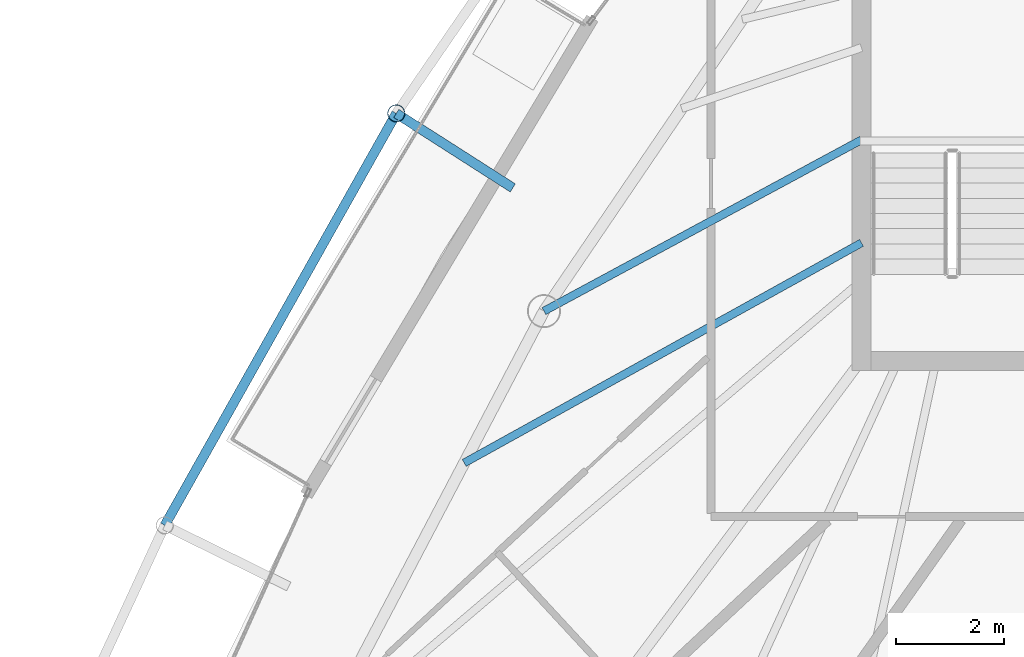
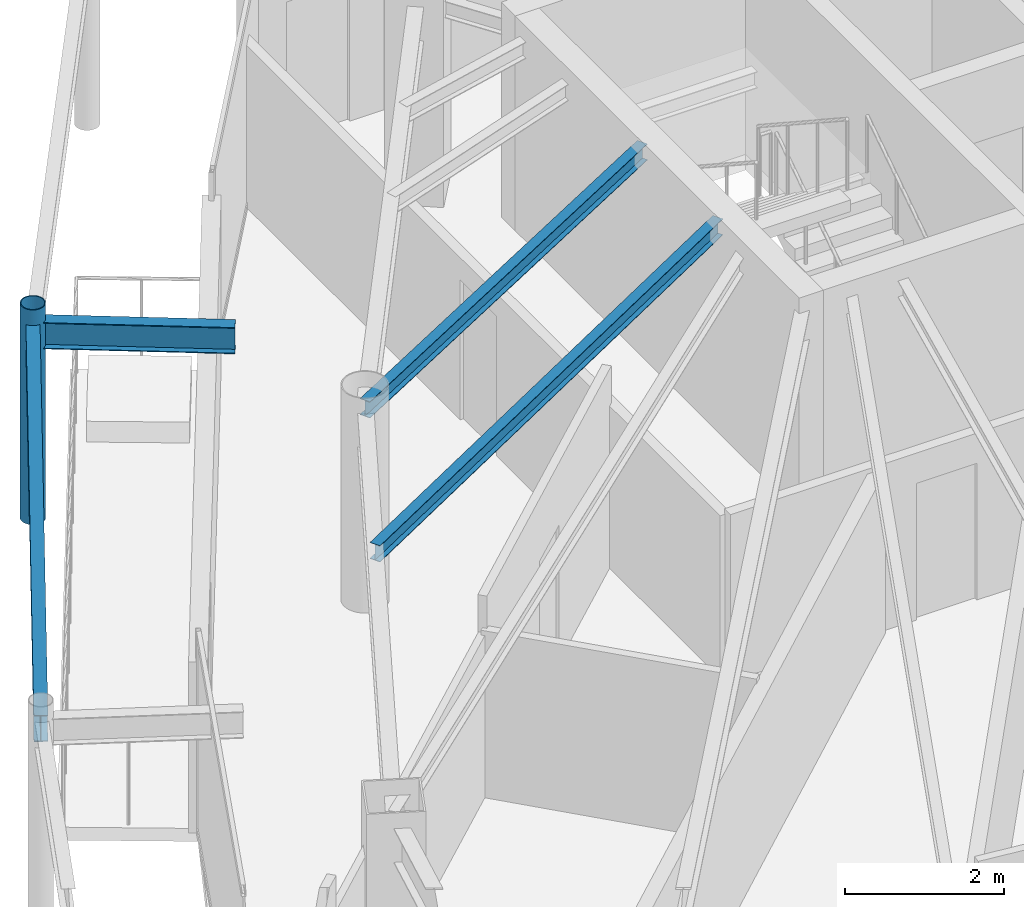
# One storey, part 11 of 32: 4 beams, 1 member.
"""IFC4 building model written with IfcOpenShell, lengths in metres."""

import ifcopenshell
import ifcopenshell.guid

model = None  # the IFC model being written
_history = None  # IfcOwnerHistory: only IFC2X3 demands one
_inside = {}  # id of a spatial element -> (the spatial element, [elements in it])
_under = {}  # id of a project, library or spatial element -> (it, [spatial elements below it])
_declared = {}  # id of a project -> (the project, [libraries it declares])
_typed = {}  # id of a type object -> (the type object, [elements of that type])
_made_of = {}  # id of a material, layer set ... -> (it, [elements and type objects made of it])


def new_model(schema):
    """Start an empty IFC model of exactly this schema.

    Asked for "IFC4X3", IfcOpenShell would pick the latest addendum, in which some entities
    have other attributes; the version numbers below select the first issue.
    IFC2X3 requires an IfcOwnerHistory on every rooted entity: one is made here for all.
    """
    global model, _history
    if schema == "IFC4X3":
        model = ifcopenshell.file(schema_version=(4, 3, 0, 0))
    else:
        model = ifcopenshell.file(schema=schema)
    _inside.clear()
    _under.clear()
    _declared.clear()
    _typed.clear()
    _made_of.clear()
    _history = None
    if model.schema == "IFC2X3":
        org = make("IfcOrganization", Name="unknown")
        user = make(
            "IfcPersonAndOrganization",
            ThePerson=make("IfcPerson", FamilyName="unknown"),
            TheOrganization=org,
        )
        app = make(
            "IfcApplication",
            ApplicationDeveloper=org,
            Version="unknown",
            ApplicationFullName="unknown",
            ApplicationIdentifier="unknown",
        )
        _history = make(
            "IfcOwnerHistory",
            OwningUser=user,
            OwningApplication=app,
            ChangeAction="ADDED",
            CreationDate=0,
        )
    return model


def make(cls, **values):
    """One entity of the class cls with the attributes given. An attribute that is None is left unset."""
    return model.create_entity(
        cls, **{name: value for name, value in values.items() if value is not None}
    )


def rooted(cls, **values):
    """An entity with a GlobalId (a new one), such as an element, a storey or a relation."""
    return make(cls, GlobalId=ifcopenshell.guid.new(), OwnerHistory=_history, **values)


def si_unit(unit_type, name, prefix=None):
    """IfcSIUnit, for example si_unit("LENGTHUNIT", "METRE", prefix="MILLI")."""
    return make("IfcSIUnit", UnitType=unit_type, Prefix=prefix, Name=name)


def assignment(units):
    """IfcUnitAssignment: the units of a project."""
    return None if units is None else make("IfcUnitAssignment", Units=units)


def point(xyz):
    """IfcCartesianPoint."""
    return None if xyz is None else make("IfcCartesianPoint", Coordinates=xyz)


def direction(xyz):
    """IfcDirection."""
    return None if xyz is None else make("IfcDirection", DirectionRatios=xyz)


def frame(location, z_axis=None, x_axis=None):
    """IfcAxis2Placement3D, a coordinate frame: its origin and axes. An axis left out is left unset."""
    return make(
        "IfcAxis2Placement3D",
        Location=point(location),
        Axis=direction(z_axis),
        RefDirection=direction(x_axis),
    )


def frame_2d(location, x_axis=None):
    """IfcAxis2Placement2D, a coordinate frame in the plane: its origin and x axis."""
    return make(
        "IfcAxis2Placement2D", Location=point(location), RefDirection=direction(x_axis)
    )


def origin():
    """The frame at (0, 0, 0) with its axes left unset."""
    return frame((0.0, 0.0, 0.0))


def origin_2d():
    """The frame at (0, 0) in the plane with its x axis left unset."""
    return frame_2d((0.0, 0.0))


def place(relative_to, where):
    """IfcLocalPlacement: puts the frame where relative to a parent placement (None: the world)."""
    return make(
        "IfcLocalPlacement", PlacementRelTo=relative_to, RelativePlacement=where
    )


def context(
    kind, dimensions, precision=None, world=None, true_north=None, identifier=None
):
    """IfcGeometricRepresentationContext, for example the 3D "Model" context."""
    return make(
        "IfcGeometricRepresentationContext",
        ContextIdentifier=identifier,
        ContextType=kind,
        CoordinateSpaceDimension=dimensions,
        Precision=precision,
        WorldCoordinateSystem=world,
        TrueNorth=true_north,
    )


def subcontext(parent, identifier, kind, view, scale=None):
    """IfcGeometricRepresentationSubContext, for example "Body" below "Model"."""
    return make(
        "IfcGeometricRepresentationSubContext",
        ContextIdentifier=identifier,
        ContextType=kind,
        ParentContext=parent,
        TargetScale=scale,
        TargetView=view,
    )


def project(units=None, contexts=None):
    """IfcProject with its units and contexts."""
    return rooted(
        "IfcProject",
        Name="project",
        RepresentationContexts=contexts,
        UnitsInContext=assignment(units),
    )


def spatial(cls, under=None, at=None, **own):
    """A site, building, storey or space (cls), placed at a placement, below another one or the project."""
    s = rooted(cls, ObjectPlacement=at, **own)
    if under is not None:
        _under.setdefault(under.id(), (under, []))[1].append(s)
    return s


def profile(cls, at=None, kind="AREA", **sizes):
    """A parametric profile (cls). Its sizes go by their IFC names, for example OverallWidth=200.0."""
    return make(cls, ProfileType=kind, Position=at, **sizes)


def hollow_circle(**sizes):
    """IfcCircleHollowProfileDef."""
    return profile("IfcCircleHollowProfileDef", **sizes)


def i_section(**sizes):
    """IfcIShapeProfileDef."""
    return profile("IfcIShapeProfileDef", **sizes)


def extrude(swept, where, along, depth):
    """IfcExtrudedAreaSolid: the profile swept, set in the frame where, extruded along a direction by depth."""
    return make(
        "IfcExtrudedAreaSolid",
        SweptArea=swept,
        Position=where,
        ExtrudedDirection=direction(along),
        Depth=depth,
    )


def shape(context_of_items, identifier, shape_type, items):
    """IfcShapeRepresentation: the items that make up one representation, for example the "Body"."""
    return make(
        "IfcShapeRepresentation",
        ContextOfItems=context_of_items,
        RepresentationIdentifier=identifier,
        RepresentationType=shape_type,
        Items=items,
    )


def material(Name=None, Category=None):
    """IfcMaterial."""
    return make("IfcMaterial", Name=Name, Category=Category)


def material_profile(
    of_material, cross_section, Name=None, Category=None, Priority=None
):
    """IfcMaterialProfile: a cross section and its material."""
    return make(
        "IfcMaterialProfile",
        Name=Name,
        Material=of_material,
        Profile=cross_section,
        Priority=Priority,
        Category=Category,
    )


def profile_set(profiles, Name=None, composite=None):
    """IfcMaterialProfileSet."""
    return make(
        "IfcMaterialProfileSet",
        Name=Name,
        MaterialProfiles=profiles,
        CompositeProfile=composite,
    )


def made_of(thing, what):
    """Note that an element or type object is made of a material, layer set ...; save() writes the relation."""
    if what is not None:
        _made_of.setdefault(what.id(), (what, []))[1].append(thing)
    return thing


def type_object(cls, material=None, **own):
    """A type object (cls), such as IfcWallType, which elements share."""
    return made_of(rooted(cls, **own), material)


def element(
    cls,
    number,
    at=None,
    inside=None,
    cuts=None,
    type_object=None,
    material=None,
    context=None,
    identifier="Body",
    shape_type=None,
    held_by="IfcProductDefinitionShape",
    body=None,
    shapes=None,
    **own,
):
    """One element of the class cls, such as IfcWall. Its Tag is "e" and its number.

    at: its placement. inside: the storey or other place that contains it. cuts: it is an
    opening in that element (IfcRelVoidsElement). A single representation is given by context,
    identifier, shape_type and body (its items); several are given by shapes. held_by: the class
    of the entity that holds the representations. save() writes the other relations.
    """
    e = rooted(cls, Tag="e%d" % number, ObjectPlacement=at, **own)
    if body is not None:
        shapes = [shape(context, identifier, shape_type, body)]
    if shapes is not None:
        e.Representation = make(held_by, Representations=shapes)
    if inside is not None:
        _inside.setdefault(inside.id(), (inside, []))[1].append(e)
    if cuts is not None:
        rooted(
            "IfcRelVoidsElement", RelatingBuildingElement=cuts, RelatedOpeningElement=e
        )
    if type_object is not None:
        _typed.setdefault(type_object.id(), (type_object, []))[1].append(e)
    return made_of(e, material)


def aggregate(whole, parts):
    """IfcRelAggregates: a whole, such as a stair, and the parts it consists of."""
    return rooted("IfcRelAggregates", RelatingObject=whole, RelatedObjects=parts)


def save(model, path):
    """Write the relations noted so far, then the file.

    IfcRelAggregates (storeys below a building ...), IfcRelContainedInSpatialStructure (elements
    in a storey), IfcRelDefinesByType, IfcRelAssociatesMaterial and IfcRelDeclares: one each for
    every whole, place, type object, material and project.
    """
    for whole, parts in _under.values():
        aggregate(whole, parts)
    for where, things in _inside.values():
        rooted(
            "IfcRelContainedInSpatialStructure",
            RelatedElements=things,
            RelatingStructure=where,
        )
    for kind, things in _typed.values():
        rooted("IfcRelDefinesByType", RelatedObjects=things, RelatingType=kind)
    for what, things in _made_of.values():
        rooted("IfcRelAssociatesMaterial", RelatedObjects=things, RelatingMaterial=what)
    for by, libraries in _declared.values():
        rooted("IfcRelDeclares", RelatingContext=by, RelatedDefinitions=libraries)
    model.write(path)


model = new_model("IFC4")

# Units and contexts
model_context = context("Model", 3, precision=1e-05, world=origin(), true_north=direction((0.0, 1.0)))
body_context = subcontext(model_context, "Body", "Model", "MODEL_VIEW")
ifc_project = project(units=[si_unit("LENGTHUNIT", "METRE"), si_unit("AREAUNIT", "SQUARE_METRE"), si_unit("VOLUMEUNIT", "CUBIC_METRE"), si_unit("PLANEANGLEUNIT", "RADIAN"), si_unit("MASSUNIT", "GRAM", prefix="KILO")], contexts=[model_context])

# Site, building, storey
site_placement = place(None, origin())
site = spatial("IfcSite", under=ifc_project, at=site_placement, CompositionType="ELEMENT")
building_placement = place(site_placement, origin())
building = spatial("IfcBuilding", under=site, at=building_placement, Name="Orvanel Arch Residences", CompositionType="ELEMENT")
storey_placement = place(building_placement, frame((0.0, 0.0, 219.5)))
storey = spatial("IfcBuildingStorey", under=building, at=storey_placement, Name="L62", CompositionType="ELEMENT", Elevation=219.5)

# Beams
ifc_material_1 = material(Name="Structural steel AS/NZS 3679.1 Grade 300 (300 MPa)", Category="steel")
ifc_material_profile_1 = material_profile(ifc_material_1, i_section(OverallWidth=0.14599609375, OverallDepth=0.251953125, WebThickness=0.006103515625, FlangeThickness=0.008544921875, at=origin_2d()), Name="250UB31.4")
ifc_profile_set_1 = profile_set([ifc_material_profile_1], Name="Structural steel AS/NZS 3679.1 Grade 300 (300 MPa)")
beam_type_1 = type_object("IfcBeamType", Name="BJ-250UB", PredefinedType="JOIST", material=ifc_profile_set_1)
beam_1_placement = place(storey_placement, frame((26.425048828125, 30.800048828125, 2.93408203125), z_axis=(-0.880111494021, -0.474767056664, 0.0), x_axis=(0.474767056664, -0.880111494021, 0.0)))
element("IfcBeam", 1, at=beam_1_placement, inside=storey, type_object=beam_type_1, Name="L62 NW Wing Floor Joist", PredefinedType="JOIST", context=body_context, shape_type="SweptSolid", body=[
    extrude(i_section(OverallWidth=0.14599609375, OverallDepth=0.251953125, WebThickness=0.006103515625, FlangeThickness=0.008544921875, at=origin_2d()), origin(), (0.0, 0.0, 1.0), 6.653564453125),
])
beam_2_placement = place(storey_placement, frame((26.425048828125, 28.89990234375, 2.93408203125), z_axis=(-0.874754673235, -0.484566054996, 0.0), x_axis=(0.484566054996, -0.874754673235, 0.0)))
element("IfcBeam", 2, at=beam_2_placement, inside=storey, type_object=beam_type_1, Name="L62 CTW Wing Floor Joist", PredefinedType="JOIST", context=body_context, shape_type="SweptSolid", body=[
    extrude(i_section(OverallWidth=0.14599609375, OverallDepth=0.251953125, WebThickness=0.006103515625, FlangeThickness=0.008544921875, at=origin_2d()), origin(), (0.0, 0.0, 1.0), 8.376220703125),
])
ifc_material_profile_2 = material_profile(ifc_material_1, i_section(OverallWidth=0.177978515625, OverallDepth=0.406005859375, WebThickness=0.0078125, FlangeThickness=0.0126953125, at=origin_2d()), Name="410UB59.7")
ifc_profile_set_2 = profile_set([ifc_material_profile_2], Name="Structural steel AS/NZS 3679.1 Grade 300 (300 MPa)")
beam_type_2 = type_object("IfcBeamType", Name="OB-410UB-EXT", PredefinedType="SPANDREL", material=ifc_profile_set_2)
beam_3_placement = place(storey_placement, frame((19.993896484375, 29.9130859375, 2.85693359375), z_axis=(-0.842389625194, 0.53886892596, 0.0), x_axis=(-0.53886892596, -0.842389625194, 0.0)))
element("IfcBeam", 3, at=beam_3_placement, inside=storey, type_object=beam_type_2, Name="L62 Outer Frame Radial Tie Beam 02", PredefinedType="SPANDREL", context=body_context, shape_type="SweptSolid", body=[
    extrude(i_section(OverallWidth=0.177978515625, OverallDepth=0.406005859375, WebThickness=0.0078125, FlangeThickness=0.0126953125, at=origin_2d()), origin(), (0.0, 0.0, 1.0), 2.5498046875),
])
beam_4_placement = place(storey_placement, frame((17.845947265625, 31.287109375, 2.85693359375), z_axis=(-0.489965941625, -0.871741576414, 0.0), x_axis=(0.871741576414, -0.489965941625, 0.0)))
element("IfcBeam", 4, at=beam_4_placement, inside=storey, type_object=beam_type_2, Name="L62 Outer Perimeter Floor Ring Beam 02", PredefinedType="SPANDREL", context=body_context, shape_type="SweptSolid", body=[
    extrude(i_section(OverallWidth=0.177978515625, OverallDepth=0.406005859375, WebThickness=0.0078125, FlangeThickness=0.0126953125, at=origin_2d()), origin(), (0.0, 0.0, 1.0), 8.71484375),
])

# Member
ifc_material_2 = material(Name="Structural steel AS/NZS 1163 C350L0 (Grade 350)", Category="steel")
ifc_material_profile_3 = material_profile(ifc_material_2, hollow_circle(Radius=0.162109375, WallThickness=0.0126953125, at=origin_2d()), Name="CHS324x12.7")
ifc_profile_set_3 = profile_set([ifc_material_profile_3], Name="Structural steel AS/NZS 1163 C350L0 (Grade 350)")
member_type = type_object("IfcMemberType", Name="ST-324CHS-EXT", PredefinedType="STRUT", material=ifc_profile_set_3)
member_placement = place(storey_placement, frame((17.845947265625, 31.287109375, 0.0), z_axis=(0.0, 0.0, 1.0), x_axis=(1.0, 0.0, 0.0)))
element("IfcMember", 5, at=member_placement, inside=storey, type_object=member_type, Name="L62 Outer Perimeter Frame Post 02", PredefinedType="STRUT", context=body_context, shape_type="SweptSolid", body=[
    extrude(hollow_circle(Radius=0.162109375, WallThickness=0.0126953125, at=origin_2d()), origin(), (0.0, 0.0, 1.0), 3.300048828125),
])

save(model, "model.ifc")
